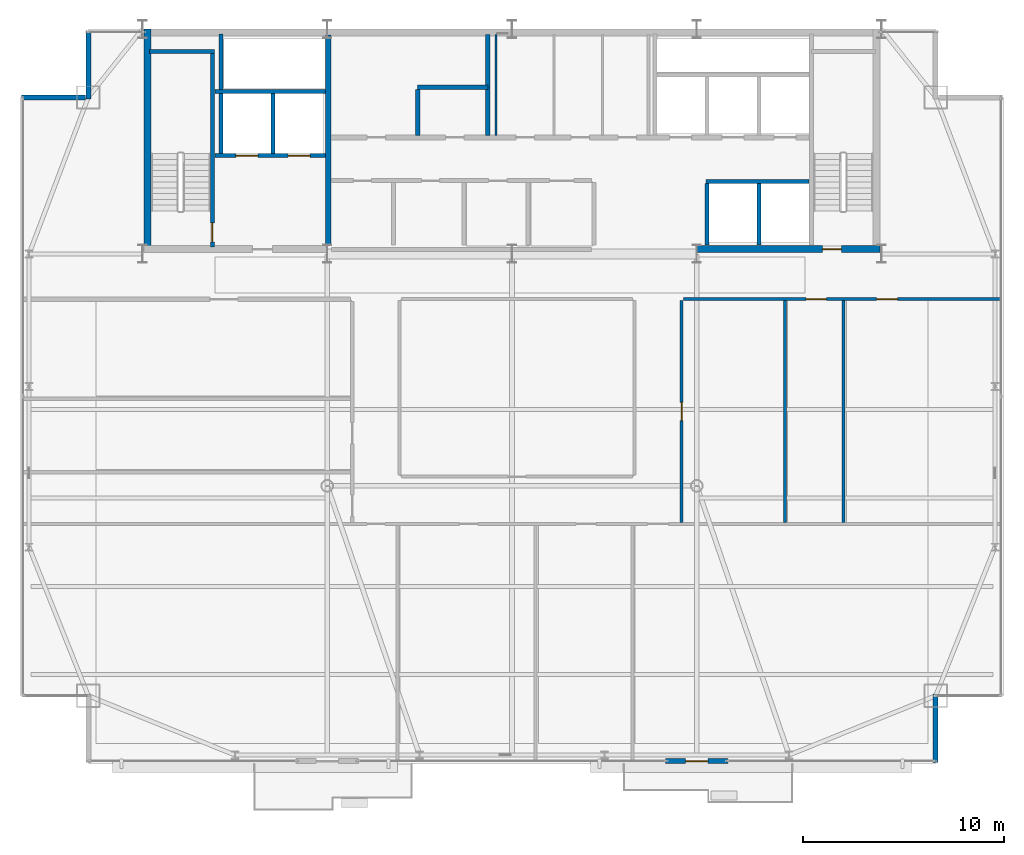
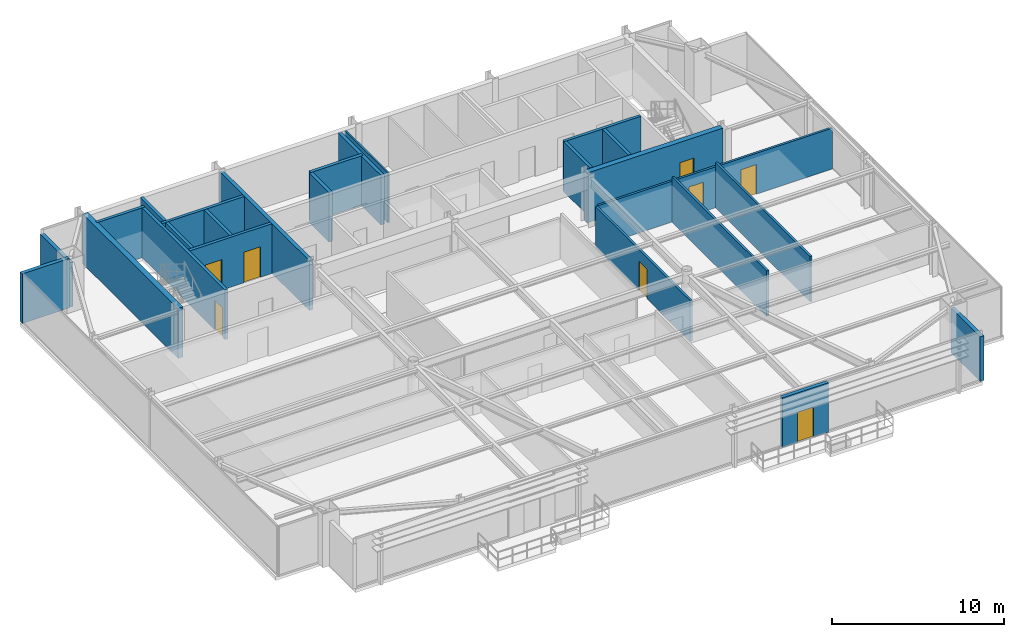
# One storey, part 27 of 30: 24 walls, 8 doors, 8 openings.
"""IFC4 building model written with IfcOpenShell, lengths in metres."""

import ifcopenshell
import ifcopenshell.guid

model = None  # the IFC model being written
_history = None  # IfcOwnerHistory: only IFC2X3 demands one
_inside = {}  # id of a spatial element -> (the spatial element, [elements in it])
_under = {}  # id of a project, library or spatial element -> (it, [spatial elements below it])
_declared = {}  # id of a project -> (the project, [libraries it declares])
_typed = {}  # id of a type object -> (the type object, [elements of that type])
_made_of = {}  # id of a material, layer set ... -> (it, [elements and type objects made of it])


def new_model(schema):
    """Start an empty IFC model of exactly this schema.

    Asked for "IFC4X3", IfcOpenShell would pick the latest addendum, in which some entities
    have other attributes; the version numbers below select the first issue.
    IFC2X3 requires an IfcOwnerHistory on every rooted entity: one is made here for all.
    """
    global model, _history
    if schema == "IFC4X3":
        model = ifcopenshell.file(schema_version=(4, 3, 0, 0))
    else:
        model = ifcopenshell.file(schema=schema)
    _inside.clear()
    _under.clear()
    _declared.clear()
    _typed.clear()
    _made_of.clear()
    _history = None
    if model.schema == "IFC2X3":
        org = make("IfcOrganization", Name="unknown")
        user = make(
            "IfcPersonAndOrganization",
            ThePerson=make("IfcPerson", FamilyName="unknown"),
            TheOrganization=org,
        )
        app = make(
            "IfcApplication",
            ApplicationDeveloper=org,
            Version="unknown",
            ApplicationFullName="unknown",
            ApplicationIdentifier="unknown",
        )
        _history = make(
            "IfcOwnerHistory",
            OwningUser=user,
            OwningApplication=app,
            ChangeAction="ADDED",
            CreationDate=0,
        )
    return model


def make(cls, **values):
    """One entity of the class cls with the attributes given. An attribute that is None is left unset."""
    return model.create_entity(
        cls, **{name: value for name, value in values.items() if value is not None}
    )


def rooted(cls, **values):
    """An entity with a GlobalId (a new one), such as an element, a storey or a relation."""
    return make(cls, GlobalId=ifcopenshell.guid.new(), OwnerHistory=_history, **values)


def si_unit(unit_type, name, prefix=None):
    """IfcSIUnit, for example si_unit("LENGTHUNIT", "METRE", prefix="MILLI")."""
    return make("IfcSIUnit", UnitType=unit_type, Prefix=prefix, Name=name)


def assignment(units):
    """IfcUnitAssignment: the units of a project."""
    return None if units is None else make("IfcUnitAssignment", Units=units)


def point(xyz):
    """IfcCartesianPoint."""
    return None if xyz is None else make("IfcCartesianPoint", Coordinates=xyz)


def direction(xyz):
    """IfcDirection."""
    return None if xyz is None else make("IfcDirection", DirectionRatios=xyz)


def frame(location, z_axis=None, x_axis=None):
    """IfcAxis2Placement3D, a coordinate frame: its origin and axes. An axis left out is left unset."""
    return make(
        "IfcAxis2Placement3D",
        Location=point(location),
        Axis=direction(z_axis),
        RefDirection=direction(x_axis),
    )


def frame_2d(location, x_axis=None):
    """IfcAxis2Placement2D, a coordinate frame in the plane: its origin and x axis."""
    return make(
        "IfcAxis2Placement2D", Location=point(location), RefDirection=direction(x_axis)
    )


def origin():
    """The frame at (0, 0, 0) with its axes left unset."""
    return frame((0.0, 0.0, 0.0))


def place(relative_to, where):
    """IfcLocalPlacement: puts the frame where relative to a parent placement (None: the world)."""
    return make(
        "IfcLocalPlacement", PlacementRelTo=relative_to, RelativePlacement=where
    )


def context(
    kind, dimensions, precision=None, world=None, true_north=None, identifier=None
):
    """IfcGeometricRepresentationContext, for example the 3D "Model" context."""
    return make(
        "IfcGeometricRepresentationContext",
        ContextIdentifier=identifier,
        ContextType=kind,
        CoordinateSpaceDimension=dimensions,
        Precision=precision,
        WorldCoordinateSystem=world,
        TrueNorth=true_north,
    )


def subcontext(parent, identifier, kind, view, scale=None):
    """IfcGeometricRepresentationSubContext, for example "Body" below "Model"."""
    return make(
        "IfcGeometricRepresentationSubContext",
        ContextIdentifier=identifier,
        ContextType=kind,
        ParentContext=parent,
        TargetScale=scale,
        TargetView=view,
    )


def project(units=None, contexts=None):
    """IfcProject with its units and contexts."""
    return rooted(
        "IfcProject",
        Name="project",
        RepresentationContexts=contexts,
        UnitsInContext=assignment(units),
    )


def spatial(cls, under=None, at=None, **own):
    """A site, building, storey or space (cls), placed at a placement, below another one or the project."""
    s = rooted(cls, ObjectPlacement=at, **own)
    if under is not None:
        _under.setdefault(under.id(), (under, []))[1].append(s)
    return s


def profile(cls, at=None, kind="AREA", **sizes):
    """A parametric profile (cls). Its sizes go by their IFC names, for example OverallWidth=200.0."""
    return make(cls, ProfileType=kind, Position=at, **sizes)


def rectangle(**sizes):
    """IfcRectangleProfileDef."""
    return profile("IfcRectangleProfileDef", **sizes)


def extrude(swept, where, along, depth):
    """IfcExtrudedAreaSolid: the profile swept, set in the frame where, extruded along a direction by depth."""
    return make(
        "IfcExtrudedAreaSolid",
        SweptArea=swept,
        Position=where,
        ExtrudedDirection=direction(along),
        Depth=depth,
    )


def shape(context_of_items, identifier, shape_type, items):
    """IfcShapeRepresentation: the items that make up one representation, for example the "Body"."""
    return make(
        "IfcShapeRepresentation",
        ContextOfItems=context_of_items,
        RepresentationIdentifier=identifier,
        RepresentationType=shape_type,
        Items=items,
    )


def source(mapping_origin, context_of_items, identifier, shape_type, items):
    """IfcRepresentationMap: a shape defined once, which mapped items show again and again."""
    return make(
        "IfcRepresentationMap",
        MappingOrigin=mapping_origin,
        MappedRepresentation=shape(context_of_items, identifier, shape_type, items),
    )


def transform(
    local_origin,
    x_axis=None,
    y_axis=None,
    z_axis=None,
    scale=None,
    scale2=None,
    scale3=None,
    uniform=True,
):
    """IfcCartesianTransformationOperator3D, or its non-uniform kind. x_axis, y_axis, z_axis: its Axis1, 2, 3."""
    if uniform:
        return make(
            "IfcCartesianTransformationOperator3D",
            Axis1=direction(x_axis),
            Axis2=direction(y_axis),
            LocalOrigin=point(local_origin),
            Scale=scale,
            Axis3=direction(z_axis),
        )
    return make(
        "IfcCartesianTransformationOperator3DnonUniform",
        Axis1=direction(x_axis),
        Axis2=direction(y_axis),
        LocalOrigin=point(local_origin),
        Scale=scale,
        Axis3=direction(z_axis),
        Scale2=scale2,
        Scale3=scale3,
    )


def mapped(mapping_source, mapping_target):
    """IfcMappedItem: shows the shape of a source again, moved by a transform."""
    return make(
        "IfcMappedItem", MappingSource=mapping_source, MappingTarget=mapping_target
    )


def material(Name=None, Category=None):
    """IfcMaterial."""
    return make("IfcMaterial", Name=Name, Category=Category)


def layer(
    of_material, thickness, ventilated=None, Name=None, Category=None, Priority=None
):
    """IfcMaterialLayer: one layer of a wall or slab, of a material (None: an air gap)."""
    return make(
        "IfcMaterialLayer",
        Material=of_material,
        LayerThickness=thickness,
        IsVentilated=ventilated,
        Name=Name,
        Category=Category,
        Priority=Priority,
    )


def layer_set(layers, Name=None):
    """IfcMaterialLayerSet."""
    return make("IfcMaterialLayerSet", MaterialLayers=layers, LayerSetName=Name)


def made_of(thing, what):
    """Note that an element or type object is made of a material, layer set ...; save() writes the relation."""
    if what is not None:
        _made_of.setdefault(what.id(), (what, []))[1].append(thing)
    return thing


def type_object(cls, material=None, **own):
    """A type object (cls), such as IfcWallType, which elements share."""
    return made_of(rooted(cls, **own), material)


def type_shapes(of_type, sources):
    """Give a type object the sources (RepresentationMaps) that its elements show as mapped items."""
    of_type.RepresentationMaps = sources


def element(
    cls,
    number,
    at=None,
    inside=None,
    cuts=None,
    type_object=None,
    material=None,
    context=None,
    identifier="Body",
    shape_type=None,
    held_by="IfcProductDefinitionShape",
    body=None,
    shapes=None,
    **own,
):
    """One element of the class cls, such as IfcWall. Its Tag is "e" and its number.

    at: its placement. inside: the storey or other place that contains it. cuts: it is an
    opening in that element (IfcRelVoidsElement). A single representation is given by context,
    identifier, shape_type and body (its items); several are given by shapes. held_by: the class
    of the entity that holds the representations. save() writes the other relations.
    """
    e = rooted(cls, Tag="e%d" % number, ObjectPlacement=at, **own)
    if body is not None:
        shapes = [shape(context, identifier, shape_type, body)]
    if shapes is not None:
        e.Representation = make(held_by, Representations=shapes)
    if inside is not None:
        _inside.setdefault(inside.id(), (inside, []))[1].append(e)
    if cuts is not None:
        rooted(
            "IfcRelVoidsElement", RelatingBuildingElement=cuts, RelatedOpeningElement=e
        )
    if type_object is not None:
        _typed.setdefault(type_object.id(), (type_object, []))[1].append(e)
    return made_of(e, material)


def fill(opening, filler):
    """IfcRelFillsElement: the door or window that sits in an opening."""
    return rooted(
        "IfcRelFillsElement",
        RelatingOpeningElement=opening,
        RelatedBuildingElement=filler,
    )


def aggregate(whole, parts):
    """IfcRelAggregates: a whole, such as a stair, and the parts it consists of."""
    return rooted("IfcRelAggregates", RelatingObject=whole, RelatedObjects=parts)


def save(model, path):
    """Write the relations noted so far, then the file.

    IfcRelAggregates (storeys below a building ...), IfcRelContainedInSpatialStructure (elements
    in a storey), IfcRelDefinesByType, IfcRelAssociatesMaterial and IfcRelDeclares: one each for
    every whole, place, type object, material and project.
    """
    for whole, parts in _under.values():
        aggregate(whole, parts)
    for where, things in _inside.values():
        rooted(
            "IfcRelContainedInSpatialStructure",
            RelatedElements=things,
            RelatingStructure=where,
        )
    for kind, things in _typed.values():
        rooted("IfcRelDefinesByType", RelatedObjects=things, RelatingType=kind)
    for what, things in _made_of.values():
        rooted("IfcRelAssociatesMaterial", RelatedObjects=things, RelatingMaterial=what)
    for by, libraries in _declared.values():
        rooted("IfcRelDeclares", RelatingContext=by, RelatedDefinitions=libraries)
    model.write(path)


model = new_model("IFC4")

# Units and contexts
model_context = context("Model", 3, precision=1e-05, world=origin(), true_north=direction((0.0, 1.0)))
body_context = subcontext(model_context, "Body", "Model", "MODEL_VIEW")
ifc_project = project(units=[si_unit("LENGTHUNIT", "METRE"), si_unit("AREAUNIT", "SQUARE_METRE"), si_unit("VOLUMEUNIT", "CUBIC_METRE"), si_unit("PLANEANGLEUNIT", "RADIAN"), si_unit("MASSUNIT", "GRAM", prefix="KILO")], contexts=[model_context])

# Site, building, storey
site_placement = place(None, origin())
site = spatial("IfcSite", under=ifc_project, at=site_placement, CompositionType="ELEMENT")
building_placement = place(site_placement, origin())
building = spatial("IfcBuilding", under=site, at=building_placement, Name="Varnel Quay Broadcast Tower", CompositionType="ELEMENT")
storey_placement = place(building_placement, frame((0.0, 0.0, 247.0)))
storey = spatial("IfcBuildingStorey", under=building, at=storey_placement, Name="L61", CompositionType="ELEMENT", Elevation=247.0)

# Wall, opening, door
ifc_material_1 = material(Name="Concrete CSA A23.3 C50/60", Category="concrete")
ifc_layer_1 = layer(ifc_material_1, 0.199951171875, Name="Concrete CSA A23.3 C50/60")
ifc_layer_set_1 = layer_set([ifc_layer_1], Name="Concrete CSA A23.3 C50/60")
wall_type_1 = type_object("IfcWallType", Name="Wall_CoreShaftShear200", PredefinedType="SHEAR", material=ifc_layer_set_1)
wall_1_placement = place(storey_placement, frame((19.080078125, 35.949951171875, 0.0), z_axis=(0.0, 0.0, 1.0), x_axis=(0.0, 1.0, 0.0)))
wall_1 = element("IfcWall", 1, at=wall_1_placement, inside=storey, type_object=wall_type_1, Name="L61 Stair 1 East Structural Wall", PredefinedType="SHEAR", context=body_context, shape_type="SweptSolid", body=[
    extrude(rectangle(XDim=9.650146484375, YDim=0.199951171875, at=frame_2d((4.8251953125, 0.0))), origin(), (0.0, 0.0, 1.0), 3.550048828125),
])
opening_1_placement = place(wall_1_placement, frame((0.25, 0.0, 0.0)))
opening_1 = element("IfcOpeningElement", 2, at=opening_1_placement, cuts=wall_1, Name="Opening D-L61-S1", PredefinedType="OPENING", context=body_context, shape_type="SweptSolid", body=[
    extrude(rectangle(XDim=0.949951171875, YDim=2.10009765625, at=frame_2d((0.47509765625, 1.050048828125))), frame((0.0, 0.10986328125, 0.0), z_axis=(0.0, -1.0, 0.0), x_axis=(1.0, 0.0, 0.0)), (0.0, 0.0, 1.0), 0.219970703125),
])
ifc_material_2 = material(Name="Insulated Fire-Rated Hollow Steel Door", Category="steel")
door_type_1 = type_object("IfcDoorType", Name="Door_FireStair950", OperationType="NOTDEFINED", PredefinedType="DOOR", material=ifc_material_2)
shared_shape_1 = source(origin(), body_context, "Body", "SweptSolid", [
    extrude(rectangle(XDim=0.949951171875, YDim=2.10009765625, at=frame_2d((0.47509765625, 1.050048828125))), frame((0.0, 0.02490234375, 0.0), z_axis=(0.0, -1.0, 0.0), x_axis=(1.0, 0.0, 0.0)), (0.0, 0.0, 1.0), 0.050048828125),
])
type_shapes(door_type_1, [shared_shape_1])
door_1_placement = place(opening_1_placement, origin())
door_1 = element("IfcDoor", 3, at=door_1_placement, inside=storey, type_object=door_type_1, Name="L61 Stair 1 Fire Door", OperationType="SINGLE_SWING_RIGHT", OverallHeight=2.10009765625, OverallWidth=0.949951171875, PredefinedType="DOOR", context=body_context, shape_type="MappedRepresentation", body=[
    mapped(shared_shape_1, transform((0.0, 0.0, 0.0), x_axis=(1.0, 0.0, 0.0), y_axis=(0.0, 1.0, 0.0), z_axis=(0.0, 0.0, 1.0), scale=1.0)),
])
fill(opening_1, door_1)

# Wall
wall_2_placement = place(storey_placement, frame((15.949951171875, 45.679931640625, 0.0), z_axis=(0.0, 0.0, 1.0), x_axis=(1.0, 0.0, 0.0)))
element("IfcWall", 4, at=wall_2_placement, inside=storey, type_object=wall_type_1, Name="L61 Stair 1 North Structural Wall", PredefinedType="SHEAR", context=body_context, shape_type="SweptSolid", body=[
    extrude(rectangle(XDim=3.22998046875, YDim=0.199951171875, at=frame_2d((1.614990234375, 0.0))), origin(), (0.0, 0.0, 1.0), 3.550048828125),
])

# Wall, openings, doors
wall_3_placement = place(storey_placement, frame((19.199951171875, 40.5, 0.0), z_axis=(0.0, 0.0, 1.0), x_axis=(1.0, 0.0, 0.0)))
wall_3 = element("IfcWall", 5, at=wall_3_placement, inside=storey, type_object=wall_type_1, Name="L61 Firefighter Lift Shaft Front Wall", PredefinedType="SHEAR", context=body_context, shape_type="SweptSolid", body=[
    extrude(rectangle(XDim=5.52001953125, YDim=0.199951171875, at=frame_2d((2.760009765625, 0.0))), origin(), (0.0, 0.0, 1.0), 3.550048828125),
])
opening_2_placement = place(wall_3_placement, frame((1.050048828125, 0.0, 0.0)))
opening_2 = element("IfcOpeningElement", 6, at=opening_2_placement, cuts=wall_3, Name="Opening LD-L61-FE1", PredefinedType="OPENING", context=body_context, shape_type="SweptSolid", body=[
    extrude(rectangle(XDim=1.10009765625, YDim=2.179931640625, at=frame_2d((0.550048828125, 1.08984375))), frame((0.0, 0.10986328125, 0.0), z_axis=(0.0, -1.0, 0.0), x_axis=(1.0, 0.0, 0.0)), (0.0, 0.0, 1.0), 0.219970703125),
])
opening_3_placement = place(wall_3_placement, frame((3.64990234375, 0.0, 0.0)))
opening_3 = element("IfcOpeningElement", 7, at=opening_3_placement, cuts=wall_3, Name="Opening LD-L61-FE2", PredefinedType="OPENING", context=body_context, shape_type="SweptSolid", body=[
    extrude(rectangle(XDim=1.10009765625, YDim=2.179931640625, at=frame_2d((0.550048828125, 1.08984375))), frame((0.0, 0.10986328125, 0.0), z_axis=(0.0, -1.0, 0.0), x_axis=(1.0, 0.0, 0.0)), (0.0, 0.0, 1.0), 0.219970703125),
])
ifc_material_3 = material(Name="Brushed Bronze-Stainless Lift Car & Sliding Doors", Category="steel")
door_type_2 = type_object("IfcDoorType", Name="Door_LiftLanding1100", OperationType="SLIDING_TO_LEFT", PredefinedType="DOOR", material=ifc_material_3)
shared_shape_2 = source(origin(), body_context, "Body", "SweptSolid", [
    extrude(rectangle(XDim=1.10009765625, YDim=2.179931640625, at=frame_2d((0.550048828125, 1.08984375))), frame((0.0, 0.02490234375, 0.0), z_axis=(0.0, -1.0, 0.0), x_axis=(1.0, 0.0, 0.0)), (0.0, 0.0, 1.0), 0.050048828125),
])
type_shapes(door_type_2, [shared_shape_2])
door_2_placement = place(opening_2_placement, frame((1.10009765625, 0.0, 0.0), z_axis=(0.0, 0.0, 1.0), x_axis=(-1.0, 0.0, 0.0)))
door_2 = element("IfcDoor", 8, at=door_2_placement, inside=storey, type_object=door_type_2, Name="L61 Firefighter Lift FE-01 Landing Door", OperationType="SLIDING_TO_LEFT", OverallHeight=2.179931640625, OverallWidth=1.10009765625, PredefinedType="DOOR", context=body_context, shape_type="MappedRepresentation", body=[
    mapped(shared_shape_2, transform((0.0, 0.0, 0.0), x_axis=(1.0, 0.0, 0.0), y_axis=(0.0, 1.0, 0.0), z_axis=(0.0, 0.0, 1.0), scale=1.0)),
])
fill(opening_2, door_2)
door_3_placement = place(opening_3_placement, frame((1.10009765625, 0.0, 0.0), z_axis=(0.0, 0.0, 1.0), x_axis=(-1.0, 0.0, 0.0)))
door_3 = element("IfcDoor", 9, at=door_3_placement, inside=storey, type_object=door_type_2, Name="L61 Firefighter Lift FE-02 Landing Door", OperationType="SLIDING_TO_RIGHT", OverallHeight=2.179931640625, OverallWidth=1.10009765625, PredefinedType="DOOR", context=body_context, shape_type="MappedRepresentation", body=[
    mapped(shared_shape_2, transform((0.0, 0.0, 0.0), x_axis=(1.0, 0.0, 0.0), y_axis=(0.0, 1.0, 0.0), z_axis=(0.0, 0.0, 1.0), scale=1.0)),
])
fill(opening_3, door_3)

# Walls
wall_4_placement = place(storey_placement, frame((19.199951171875, 43.699951171875, 0.0), z_axis=(0.0, 0.0, 1.0), x_axis=(1.0, 0.0, 0.0)))
element("IfcWall", 10, at=wall_4_placement, inside=storey, type_object=wall_type_1, Name="L61 Firefighter Lift Shaft Rear Wall", PredefinedType="SHEAR", context=body_context, shape_type="SweptSolid", body=[
    extrude(rectangle(XDim=5.52001953125, YDim=0.199951171875, at=frame_2d((2.760009765625, 0.0))), origin(), (0.0, 0.0, 1.0), 3.550048828125),
])
wall_5_placement = place(storey_placement, frame((22.10009765625, 40.60009765625, 0.0), z_axis=(0.0, 0.0, 1.0), x_axis=(0.0, 1.0, 0.0)))
element("IfcWall", 11, at=wall_5_placement, inside=storey, type_object=wall_type_1, Name="L61 Firefighter Lift Shaft Divider", PredefinedType="SHEAR", context=body_context, shape_type="SweptSolid", body=[
    extrude(rectangle(XDim=3.0, YDim=0.199951171875, at=frame_2d((1.5, 0.0))), origin(), (0.0, 0.0, 1.0), 3.550048828125),
])
wall_6_placement = place(storey_placement, frame((19.5, 40.60009765625, 0.0), z_axis=(0.0, 0.0, 1.0), x_axis=(0.0, 1.0, 0.0)))
element("IfcWall", 12, at=wall_6_placement, inside=storey, type_object=wall_type_1, Name="L61 Firefighter Lift Shaft West Wall", PredefinedType="SHEAR", context=body_context, shape_type="SweptSolid", body=[
    extrude(rectangle(XDim=5.949951171875, YDim=0.199951171875, at=frame_2d((2.97509765625, 0.0))), origin(), (0.0, 0.0, 1.0), 3.550048828125),
])
for number, where, z_axis, x_axis, name in (
    (13, (43.699951171875, 36.050048828125, 0.0), (0.0, 0.0, 1.0), (0.0, 1.0, 0.0), "L61 Express Lift Shaft West Wall"),
    (14, (46.300048828125, 36.050048828125, 0.0), (0.0, 0.0, 1.0), (0.0, 1.0, 0.0), "L61 Express Lift Shaft Divider"),
):
    element("IfcWall", number, at=place(storey_placement, frame(where, z_axis=z_axis, x_axis=x_axis)), inside=storey, type_object=wall_type_1, Name=name, PredefinedType="SHEAR", context=body_context, shape_type="SweptSolid", body=[
        extrude(rectangle(XDim=3.050048828125, YDim=0.199951171875, at=frame_2d((1.52490234375, 0.0))), origin(), (0.0, 0.0, 1.0), 3.550048828125),
    ])
wall_7_placement = place(storey_placement, frame((43.64990234375, 39.199951171875, 0.0), z_axis=(0.0, 0.0, 1.0), x_axis=(1.0, 0.0, 0.0)))
element("IfcWall", 15, at=wall_7_placement, inside=storey, type_object=wall_type_1, Name="L61 Express Lift Shaft North Front Wall", PredefinedType="SHEAR", context=body_context, shape_type="SweptSolid", body=[
    extrude(rectangle(XDim=5.150146484375, YDim=0.199951171875, at=frame_2d((2.5751953125, 0.0))), origin(), (0.0, 0.0, 1.0), 3.550048828125),
])
ifc_layer_2 = layer(ifc_material_1, 0.25, Name="Concrete CSA A23.3 C50/60")
ifc_layer_set_2 = layer_set([ifc_layer_2], Name="Concrete CSA A23.3 C50/60")
wall_type_2 = type_object("IfcWallType", Name="Wall_CoreShaftShear250", PredefinedType="SHEAR", material=ifc_layer_set_2)
wall_8_placement = place(storey_placement, frame((24.85009765625, 36.050048828125, 0.0), z_axis=(0.0, 0.0, 1.0), x_axis=(0.0, 1.0, 0.0)))
element("IfcWall", 16, at=wall_8_placement, inside=storey, type_object=wall_type_2, Name="L61 Firefighting Lobby East Structural Wall", PredefinedType="SHEAR", context=body_context, shape_type="SweptSolid", body=[
    extrude(rectangle(XDim=10.449951171875, YDim=0.25, at=frame_2d((5.22509765625, 0.0))), origin(), (0.0, 0.0, 1.0), 3.550048828125),
])
ifc_layer_3 = layer(ifc_material_1, 0.35009765625, Name="Concrete CSA A23.3 C50/60")
ifc_layer_set_3 = layer_set([ifc_layer_3], Name="Concrete CSA A23.3 C50/60")
wall_type_3 = type_object("IfcWallType", Name="Wall_CoreShearInt350", PredefinedType="SHEAR", material=ifc_layer_set_3)
wall_9_placement = place(storey_placement, frame((15.844970703125, 35.669921875, 0.0), z_axis=(0.0, 0.0, 1.0), x_axis=(0.0, 1.0, 0.0)))
element("IfcWall", 17, at=wall_9_placement, inside=storey, type_object=wall_type_3, Name="L61 West Core Shear Wall", PredefinedType="SHEAR", context=body_context, shape_type="SweptSolid", body=[
    extrude(rectangle(XDim=11.130126953125, YDim=0.35009765625, at=frame_2d((5.56494140625, 0.0))), origin(), (0.0, 0.0, 1.0), 3.550048828125),
])

# Wall, opening, door
wall_10_placement = place(storey_placement, frame((43.199951171875, 35.844970703125, 0.0), z_axis=(0.0, 0.0, 1.0), x_axis=(1.0, 0.0, 0.0)))
wall_10 = element("IfcWall", 18, at=wall_10_placement, inside=storey, type_object=wall_type_3, Name="L61 South-East Core Shear Wall", PredefinedType="SHEAR", context=body_context, shape_type="SweptSolid", body=[
    extrude(rectangle(XDim=9.130126953125, YDim=0.35009765625, at=frame_2d((4.56494140625, 0.0))), origin(), (0.0, 0.0, 1.0), 3.550048828125),
])
opening_4_placement = place(wall_10_placement, frame((6.25, 0.0, 0.0)))
opening_4 = element("IfcOpeningElement", 19, at=opening_4_placement, cuts=wall_10, Name="Opening D-L61-S2", PredefinedType="OPENING", context=body_context, shape_type="SweptSolid", body=[
    extrude(rectangle(XDim=0.949951171875, YDim=2.10009765625, at=frame_2d((0.47509765625, 1.050048828125))), frame((0.0, 0.18505859375, 0.0), z_axis=(0.0, -1.0, 0.0), x_axis=(1.0, 0.0, 0.0)), (0.0, 0.0, 1.0), 0.3701171875),
])
door_4_placement = place(opening_4_placement, origin())
door_4 = element("IfcDoor", 20, at=door_4_placement, inside=storey, type_object=door_type_1, Name="L61 Stair 2 Fire Door", OperationType="SINGLE_SWING_RIGHT", OverallHeight=2.10009765625, OverallWidth=0.949951171875, PredefinedType="DOOR", context=body_context, shape_type="MappedRepresentation", body=[
    mapped(shared_shape_1, transform((0.0, 0.0, 0.0), x_axis=(1.0, 0.0, 0.0), y_axis=(0.0, 1.0, 0.0), z_axis=(0.0, 0.0, 1.0), scale=1.0)),
])
fill(opening_4, door_4)

ifc_material_4 = material(Name="Precast Architectural Concrete C40/50", Category="concrete")
ifc_layer_4 = layer(ifc_material_4, 0.25, Name="Precast Architectural Concrete C40/50")
ifc_layer_set_4 = layer_set([ifc_layer_4], Name="Precast Architectural Concrete C40/50")
wall_type_4 = type_object("IfcWallType", Name="Wall_ExtTerrace250", PredefinedType="SOLIDWALL", material=ifc_layer_set_4)
wall_11_placement = place(storey_placement, frame((41.64990234375, 10.35009765625, 0.0), z_axis=(0.0, 0.0, 1.0), x_axis=(1.0, 0.0, 0.0)))
wall_11 = element("IfcWall", 21, at=wall_11_placement, inside=storey, type_object=wall_type_4, Name="L61 Terrace Access Wall 2", PredefinedType="SOLIDWALL", context=body_context, shape_type="SweptSolid", body=[
    extrude(rectangle(XDim=3.10009765625, YDim=0.25, at=frame_2d((1.550048828125, 0.0))), origin(), (0.0, 0.0, 1.0), 3.530029296875),
])
opening_5_placement = place(wall_11_placement, frame((1.0, 0.0, 0.0)))
opening_5 = element("IfcOpeningElement", 22, at=opening_5_placement, cuts=wall_11, Name="Opening TD-612", PredefinedType="OPENING", context=body_context, shape_type="SweptSolid", body=[
    extrude(rectangle(XDim=1.10009765625, YDim=2.14990234375, at=frame_2d((0.550048828125, 1.074951171875))), frame((0.0, 0.135009765625, 0.0), z_axis=(0.0, -1.0, 0.0), x_axis=(1.0, 0.0, 0.0)), (0.0, 0.0, 1.0), 0.27001953125),
])
ifc_material_5 = material(Name="Anodised Bronze Aluminium 6063-T6", Category="aluminium")
door_type_3 = type_object("IfcDoorType", Name="Door_ExtTerrace1100", OperationType="NOTDEFINED", PredefinedType="DOOR", material=ifc_material_5)
shared_shape_3 = source(origin(), body_context, "Body", "SweptSolid", [
    extrude(rectangle(XDim=1.10009765625, YDim=2.14990234375, at=frame_2d((0.550048828125, 1.074951171875))), frame((0.0, 0.02490234375, 0.0), z_axis=(0.0, -1.0, 0.0), x_axis=(1.0, 0.0, 0.0)), (0.0, 0.0, 1.0), 0.050048828125),
])
type_shapes(door_type_3, [shared_shape_3])
door_5_placement = place(opening_5_placement, frame((1.10009765625, 0.0, 0.0), z_axis=(0.0, 0.0, 1.0), x_axis=(-1.0, 0.0, 0.0)))
door_5 = element("IfcDoor", 23, at=door_5_placement, inside=storey, type_object=door_type_3, Name="L61 Terrace Door TD-612", OperationType="SINGLE_SWING_RIGHT", OverallHeight=2.14990234375, OverallWidth=1.10009765625, PredefinedType="DOOR", context=body_context, shape_type="MappedRepresentation", body=[
    mapped(shared_shape_3, transform((0.0, 0.0, 0.0), x_axis=(1.0, 0.0, 0.0), y_axis=(0.0, 1.0, 0.0), z_axis=(0.0, 0.0, 1.0), scale=1.0)),
])
fill(opening_5, door_5)

# Walls
wall_12_placement = place(storey_placement, frame((55.10009765625, 10.280029296875, 0.0), z_axis=(0.0, 0.0, 1.0), x_axis=(0.0, 1.0, 0.0)))
element("IfcWall", 24, at=wall_12_placement, inside=storey, type_object=wall_type_4, Name="L61 Mega-Column Notch Cladding Wall NSE2", PredefinedType="SOLIDWALL", context=body_context, shape_type="SweptSolid", body=[
    extrude(rectangle(XDim=3.39990234375, YDim=0.25, at=frame_2d((1.699951171875, 0.0))), origin(), (0.0, 0.0, 1.0), 3.1708984375),
])
wall_13_placement = place(storey_placement, frame((9.580078125, 43.39990234375, 0.0), z_axis=(0.0, 0.0, 1.0), x_axis=(1.0, 0.0, 0.0)))
element("IfcWall", 25, at=wall_13_placement, inside=storey, type_object=wall_type_4, Name="L61 Mega-Column Notch Cladding Wall NNW1", PredefinedType="SOLIDWALL", context=body_context, shape_type="SweptSolid", body=[
    extrude(rectangle(XDim=3.18994140625, YDim=0.25, at=frame_2d((1.594970703125, 0.0))), origin(), (0.0, 0.0, 1.0), 3.530029296875),
])
wall_14_placement = place(storey_placement, frame((12.89990234375, 43.320068359375, 0.0), z_axis=(0.0, 0.0, 1.0), x_axis=(0.0, 1.0, 0.0)))
element("IfcWall", 26, at=wall_14_placement, inside=storey, type_object=wall_type_4, Name="L61 Mega-Column Notch Cladding Wall NNW2", PredefinedType="SOLIDWALL", context=body_context, shape_type="SweptSolid", body=[
    extrude(rectangle(XDim=3.39990234375, YDim=0.25, at=frame_2d((1.699951171875, 0.0))), origin(), (0.0, 0.0, 1.0), 3.1708984375),
])
ifc_material_6 = material(Name="Steel-Stud Fire-Rated Acoustic Gypsum Partition Assembly", Category="steel")
ifc_layer_5 = layer(ifc_material_6, 0.10498046875, Name="Steel-Stud Fire-Rated Acoustic Gypsum Partition Assembly")
ifc_layer_set_5 = layer_set([ifc_layer_5], Name="Steel-Stud Fire-Rated Acoustic Gypsum Partition Assembly")
wall_type_5 = type_object("IfcWallType", Name="Wall_Partition105", PredefinedType="PARTITIONING", material=ifc_layer_set_5)
wall_15_placement = place(storey_placement, frame((33.199951171875, 41.5, 0.0), z_axis=(0.0, 0.0, 1.0), x_axis=(0.0, 1.0, 0.0)))
element("IfcWall", 27, at=wall_15_placement, inside=storey, type_object=wall_type_5, Name="L61 Audio Patch Closet Partition 27", PredefinedType="PARTITIONING", context=body_context, shape_type="SweptSolid", body=[
    extrude(rectangle(XDim=5.02001953125, YDim=0.10498046875, at=frame_2d((2.510009765625, 0.0))), origin(), (0.0, 0.0, 1.0), 3.530029296875),
])
ifc_layer_6 = layer(ifc_material_6, 0.139892578125, Name="Steel-Stud Fire-Rated Acoustic Gypsum Partition Assembly")
ifc_layer_set_6 = layer_set([ifc_layer_6], Name="Steel-Stud Fire-Rated Acoustic Gypsum Partition Assembly")
wall_type_6 = type_object("IfcWallType", Name="Wall_Partition140", PredefinedType="PARTITIONING", material=ifc_layer_set_6)
wall_16_placement = place(storey_placement, frame((50.510009765625, 22.235107421875, 0.0), z_axis=(0.0, 0.0, 1.0), x_axis=(0.0, 1.0, 0.0)))
element("IfcWall", 28, at=wall_16_placement, inside=storey, type_object=wall_type_6, Name="L61 Reading Lounge 10 Partition 22", PredefinedType="PARTITIONING", context=body_context, shape_type="SweptSolid", body=[
    extrude(rectangle(XDim=11.039794921875, YDim=0.139892578125, at=frame_2d((5.52001953125, 0.0))), origin(), (0.0, 0.0, 1.0), 3.221923828125),
])
ifc_layer_7 = layer(ifc_material_6, 0.14990234375, Name="Steel-Stud Fire-Rated Acoustic Gypsum Partition Assembly")
ifc_layer_set_7 = layer_set([ifc_layer_7], Name="Steel-Stud Fire-Rated Acoustic Gypsum Partition Assembly")
wall_type_7 = type_object("IfcWallType", Name="Wall_Partition150", PredefinedType="PARTITIONING", material=ifc_layer_set_7)
wall_17_placement = place(storey_placement, frame((47.590087890625, 22.235107421875, 0.0), z_axis=(0.0, 0.0, 1.0), x_axis=(0.0, 1.0, 0.0)))
element("IfcWall", 29, at=wall_17_placement, inside=storey, type_object=wall_type_7, Name="L61 Bureau Office 9 Partition 19", PredefinedType="PARTITIONING", context=body_context, shape_type="SweptSolid", body=[
    extrude(rectangle(XDim=11.039794921875, YDim=0.14990234375, at=frame_2d((5.52001953125, 0.0))), origin(), (0.0, 0.0, 1.0), 3.221923828125),
])

# Wall, openings, doors
wall_18_placement = place(storey_placement, frame((42.550048828125, 33.35009765625, 0.0), z_axis=(0.0, 0.0, 1.0), x_axis=(1.0, 0.0, 0.0)))
wall_18 = element("IfcWall", 30, at=wall_18_placement, inside=storey, type_object=wall_type_7, Name="L61 Bureau Office 9 Partition 20", PredefinedType="PARTITIONING", context=body_context, shape_type="SweptSolid", body=[
    extrude(rectangle(XDim=15.77001953125, YDim=0.14990234375, at=frame_2d((7.885009765625, 0.0))), origin(), (0.0, 0.0, 1.0), 2.907958984375),
])
opening_6_placement = place(wall_18_placement, frame((6.10009765625, 0.0, 0.0)))
opening_6 = element("IfcOpeningElement", 31, at=opening_6_placement, cuts=wall_18, Name="Opening D-L61-14", PredefinedType="OPENING", context=body_context, shape_type="SweptSolid", body=[
    extrude(rectangle(XDim=1.0, YDim=2.10009765625, at=frame_2d((0.5, 1.050048828125))), frame((0.0, 0.0849609375, 0.0), z_axis=(0.0, -1.0, 0.0), x_axis=(1.0, 0.0, 0.0)), (0.0, 0.0, 1.0), 0.169921875),
])
opening_7_placement = place(wall_18_placement, frame((9.60498046875, 0.0, 0.0)))
opening_7 = element("IfcOpeningElement", 32, at=opening_7_placement, cuts=wall_18, Name="Opening D-L61-15", PredefinedType="OPENING", context=body_context, shape_type="SweptSolid", body=[
    extrude(rectangle(XDim=1.050048828125, YDim=2.10009765625, at=frame_2d((0.52490234375, 1.050048828125))), frame((0.0, 0.0849609375, 0.0), z_axis=(0.0, -1.0, 0.0), x_axis=(1.0, 0.0, 0.0)), (0.0, 0.0, 1.0), 0.169921875),
])
ifc_material_7 = material(Name="Solid-Core Fire-Rated Acoustic Oak Veneer Door", Category="wood")
door_type_4 = type_object("IfcDoorType", Name="Door_Exec1000", OperationType="NOTDEFINED", PredefinedType="DOOR", material=ifc_material_7)
shared_shape_4 = source(origin(), body_context, "Body", "SweptSolid", [
    extrude(rectangle(XDim=1.0, YDim=2.10009765625, at=frame_2d((0.5, 1.050048828125))), frame((0.0, 0.02490234375, 0.0), z_axis=(0.0, -1.0, 0.0), x_axis=(1.0, 0.0, 0.0)), (0.0, 0.0, 1.0), 0.050048828125),
])
type_shapes(door_type_4, [shared_shape_4])
door_6_placement = place(opening_6_placement, frame((1.0, 0.0, 0.0), z_axis=(0.0, 0.0, 1.0), x_axis=(-1.0, 0.0, 0.0)))
door_6 = element("IfcDoor", 33, at=door_6_placement, inside=storey, type_object=door_type_4, Name="L61 Reading Lounge 10 Door D-L61-14", OperationType="SINGLE_SWING_RIGHT", OverallHeight=2.10009765625, OverallWidth=1.0, PredefinedType="DOOR", context=body_context, shape_type="MappedRepresentation", body=[
    mapped(shared_shape_4, transform((0.0, 0.0, 0.0), x_axis=(1.0, 0.0, 0.0), y_axis=(0.0, 1.0, 0.0), z_axis=(0.0, 0.0, 1.0), scale=1.0)),
])
fill(opening_6, door_6)
door_type_5 = type_object("IfcDoorType", Name="Door_Meeting1050", OperationType="NOTDEFINED", PredefinedType="DOOR", material=ifc_material_7)
shared_shape_5 = source(origin(), body_context, "Body", "SweptSolid", [
    extrude(rectangle(XDim=1.050048828125, YDim=2.10009765625, at=frame_2d((0.52490234375, 1.050048828125))), frame((0.0, 0.02490234375, 0.0), z_axis=(0.0, -1.0, 0.0), x_axis=(1.0, 0.0, 0.0)), (0.0, 0.0, 1.0), 0.050048828125),
])
type_shapes(door_type_5, [shared_shape_5])
door_7_placement = place(opening_7_placement, frame((1.050048828125, 0.0, 0.0), z_axis=(0.0, 0.0, 1.0), x_axis=(-1.0, 0.0, 0.0)))
door_7 = element("IfcDoor", 34, at=door_7_placement, inside=storey, type_object=door_type_5, Name="L61 Broadcast Seminar Room 11 Door D-L61-15", OperationType="SINGLE_SWING_LEFT", OverallHeight=2.10009765625, OverallWidth=1.050048828125, PredefinedType="DOOR", context=body_context, shape_type="MappedRepresentation", body=[
    mapped(shared_shape_5, transform((0.0, 0.0, 0.0), x_axis=(1.0, 0.0, 0.0), y_axis=(0.0, 1.0, 0.0), z_axis=(0.0, 0.0, 1.0), scale=1.0)),
])
fill(opening_7, door_7)

# Wall, opening, door
wall_19_placement = place(storey_placement, frame((42.449951171875, 22.235107421875, 0.0), z_axis=(0.0, 0.0, 1.0), x_axis=(0.0, 1.0, 0.0)))
wall_19 = element("IfcWall", 35, at=wall_19_placement, inside=storey, type_object=wall_type_7, Name="L61 Bureau Office 9 Partition 21", PredefinedType="PARTITIONING", context=body_context, shape_type="SweptSolid", body=[
    extrude(rectangle(XDim=11.039794921875, YDim=0.14990234375, at=frame_2d((5.52001953125, 0.0))), origin(), (0.0, 0.0, 1.0), 2.907958984375),
])
opening_8_placement = place(wall_19_placement, frame((5.06005859375, 0.0, 0.0)))
opening_8 = element("IfcOpeningElement", 36, at=opening_8_placement, cuts=wall_19, Name="Opening D-L61-13", PredefinedType="OPENING", context=body_context, shape_type="SweptSolid", body=[
    extrude(rectangle(XDim=0.919921875, YDim=2.080078125, at=frame_2d((0.4599609375, 1.0400390625))), frame((0.0, 0.0849609375, 0.0), z_axis=(0.0, -1.0, 0.0), x_axis=(1.0, 0.0, 0.0)), (0.0, 0.0, 1.0), 0.169921875),
])
door_type_6 = type_object("IfcDoorType", Name="Door_Office920", OperationType="NOTDEFINED", PredefinedType="DOOR", material=ifc_material_7)
shared_shape_6 = source(origin(), body_context, "Body", "SweptSolid", [
    extrude(rectangle(XDim=0.919921875, YDim=2.080078125, at=frame_2d((0.4599609375, 1.0400390625))), frame((0.0, 0.02490234375, 0.0), z_axis=(0.0, -1.0, 0.0), x_axis=(1.0, 0.0, 0.0)), (0.0, 0.0, 1.0), 0.050048828125),
])
type_shapes(door_type_6, [shared_shape_6])
door_8_placement = place(opening_8_placement, frame((0.919921875, 0.0, 0.0), z_axis=(0.0, 0.0, 1.0), x_axis=(-1.0, 0.0, 0.0)))
door_8 = element("IfcDoor", 37, at=door_8_placement, inside=storey, type_object=door_type_6, Name="L61 Bureau Office 9 Door D-L61-13", OperationType="SINGLE_SWING_LEFT", OverallHeight=2.080078125, OverallWidth=0.919921875, PredefinedType="DOOR", context=body_context, shape_type="MappedRepresentation", body=[
    mapped(shared_shape_6, transform((0.0, 0.0, 0.0), x_axis=(1.0, 0.0, 0.0), y_axis=(0.0, 1.0, 0.0), z_axis=(0.0, 0.0, 1.0), scale=1.0)),
])
fill(opening_8, door_8)

# Walls
ifc_layer_8 = layer(ifc_material_6, 0.22509765625, Name="Steel-Stud Fire-Rated Acoustic Gypsum Partition Assembly")
ifc_layer_set_8 = layer_set([ifc_layer_8], Name="Steel-Stud Fire-Rated Acoustic Gypsum Partition Assembly")
wall_type_8 = type_object("IfcWallType", Name="Wall_Partition225", PredefinedType="PARTITIONING", material=ifc_layer_set_8)
wall_20_placement = place(storey_placement, frame((29.300048828125, 41.5, 0.0), z_axis=(0.0, 0.0, 1.0), x_axis=(0.0, 1.0, 0.0)))
element("IfcWall", 38, at=wall_20_placement, inside=storey, type_object=wall_type_8, Name="L61 Signal Routing Suite Partition 23", PredefinedType="PARTITIONING", context=body_context, shape_type="SweptSolid", body=[
    extrude(rectangle(XDim=2.2880859375, YDim=0.22509765625, at=frame_2d((1.14404296875, 0.0))), origin(), (0.0, 0.0, 1.0), 3.530029296875),
])
wall_21_placement = place(storey_placement, frame((29.300048828125, 43.89990234375, 0.0), z_axis=(0.0, 0.0, 1.0), x_axis=(1.0, 0.0, 0.0)))
element("IfcWall", 39, at=wall_21_placement, inside=storey, type_object=wall_type_8, Name="L61 Signal Routing Suite Partition 24", PredefinedType="PARTITIONING", context=body_context, shape_type="SweptSolid", body=[
    extrude(rectangle(XDim=3.5, YDim=0.22509765625, at=frame_2d((1.75, 0.0))), origin(), (0.0, 0.0, 1.0), 3.530029296875),
])
wall_22_placement = place(storey_placement, frame((32.800048828125, 41.5, 0.0), z_axis=(0.0, 0.0, 1.0), x_axis=(0.0, 1.0, 0.0)))
element("IfcWall", 40, at=wall_22_placement, inside=storey, type_object=wall_type_8, Name="L61 Signal Routing Suite Partition 25", PredefinedType="PARTITIONING", context=body_context, shape_type="SweptSolid", body=[
    extrude(rectangle(XDim=5.02001953125, YDim=0.22509765625, at=frame_2d((2.510009765625, 0.0))), origin(), (0.0, 0.0, 1.0), 3.530029296875),
])

save(model, "model.ifc")
